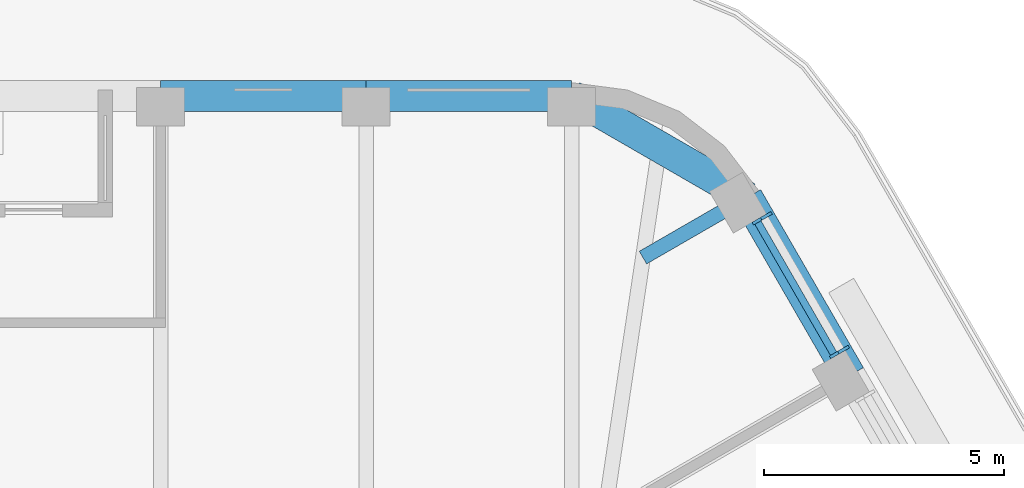
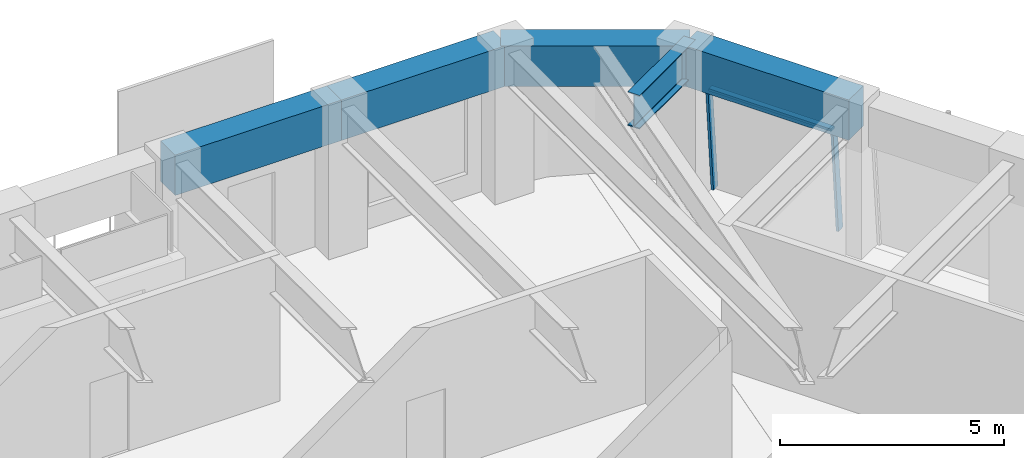
# One storey, part 11 of 19: 5 beams, 3 members, 1 element without a shape of its own.
"""IFC4 building model written with IfcOpenShell, lengths in metres."""

from ifc_helpers import new_model, si_unit, direction, frame, origin, origin_2d, place, context, subcontext, project, spatial, rectangle, i_section, extrude, material, material_profile, profile_set, type_object, element, aggregate, save


model = new_model("IFC4")

# Units and contexts
model_context = context("Model", 3, precision=1e-05, world=origin(), true_north=direction((0.0, 1.0)))
body_context = subcontext(model_context, "Body", "Model", "MODEL_VIEW")
ifc_project = project(units=[si_unit("LENGTHUNIT", "METRE"), si_unit("AREAUNIT", "SQUARE_METRE"), si_unit("VOLUMEUNIT", "CUBIC_METRE"), si_unit("PLANEANGLEUNIT", "RADIAN"), si_unit("MASSUNIT", "GRAM", prefix="KILO")], contexts=[model_context])

# Site, building, storey
site_placement = place(None, origin())
site = spatial("IfcSite", under=ifc_project, at=site_placement, CompositionType="ELEMENT")
building_placement = place(site_placement, origin())
building = spatial("IfcBuilding", under=site, at=building_placement, Name="Tarfa Lantern Tower", CompositionType="ELEMENT")
storey_placement = place(building_placement, frame((0.0, 0.0, 345.10009765625)))
storey = spatial("IfcBuildingStorey", under=building, at=storey_placement, Name="L78", CompositionType="ELEMENT", Elevation=345.10009765625)

# Curtain wall, members
ifc_material_1 = material(Name="Aluminium framed curtain wall", Category="aluminium")
curtain_wall_type = type_object("IfcCurtainWallType", Name="CW4 CANTED GLAZING EXECUTIVE ZONE 2900", PredefinedType="USERDEFINED", material=ifc_material_1)
curtain_wall_placement = place(storey_placement, origin())
curtain_wall = element("IfcCurtainWall", 1, at=curtain_wall_placement, inside=storey, type_object=curtain_wall_type, Name="CW4 NE L78", ObjectType="CURTAIN WALL", PredefinedType="USERDEFINED")
ifc_material_2 = material(Name="Aluminium mullion", Category="aluminium")
ifc_material_profile_1 = material_profile(ifc_material_2, rectangle(XDim=0.06494140625, YDim=0.199951171875, at=origin_2d()), Name="AL MULLION 65x200")
ifc_profile_set_1 = profile_set([ifc_material_profile_1], Name="Aluminium mullion")
member_type_1 = type_object("IfcMemberType", Name="CWM1 MULLION 65x200", PredefinedType="MULLION", material=ifc_profile_set_1)
member_1_placement = place(storey_placement, frame((18.53125, 21.202880859375, 0.0), z_axis=(-0.074399820079, -0.042945555672, 0.996303340364), x_axis=(0.499919672301, -0.866071776036, 0.0)))
member_1 = element("IfcMember", 2, at=member_1_placement, type_object=member_type_1, Name="CW4 mullion 1", PredefinedType="MULLION", context=body_context, shape_type="SweptSolid", body=[
    extrude(rectangle(XDim=0.06494140625, YDim=0.199951171875, at=origin_2d()), origin(), (0.0, 0.0, 1.0), 2.91064453125),
])
member_2_placement = place(storey_placement, frame((16.9228515625, 23.98876953125, 0.0), z_axis=(-0.074399820079, -0.042945555672, 0.996303340364), x_axis=(0.499919672301, -0.866071776036, 0.0)))
member_2 = element("IfcMember", 3, at=member_2_placement, type_object=member_type_1, Name="CW4 mullion 2", PredefinedType="MULLION", context=body_context, shape_type="SweptSolid", body=[
    extrude(rectangle(XDim=0.06494140625, YDim=0.199951171875, at=origin_2d()), origin(), (0.0, 0.0, 1.0), 2.91064453125),
])
ifc_material_3 = material(Name="Aluminium transom", Category="aluminium")
ifc_material_profile_2 = material_profile(ifc_material_3, rectangle(XDim=0.14990234375, YDim=0.06494140625, at=origin_2d()), Name="AL TRANSOM 150x65")
ifc_profile_set_2 = profile_set([ifc_material_profile_2], Name="Aluminium transom")
member_type_2 = type_object("IfcMemberType", Name="CWT1 TRANSOM 150x65", PredefinedType="USERDEFINED", material=ifc_profile_set_2)
member_3_placement = place(storey_placement, frame((18.301025390625, 21.107421875, 2.867431640625), z_axis=(-0.500037562771, 0.866003715822, 0.0), x_axis=(-0.866003715822, -0.500037562771, 0.0)))
member_3 = element("IfcMember", 4, at=member_3_placement, type_object=member_type_2, Name="CW4 transom 1.2", ObjectType="TRANSOM", PredefinedType="USERDEFINED", context=body_context, shape_type="SweptSolid", body=[
    extrude(rectangle(XDim=0.14990234375, YDim=0.06494140625, at=origin_2d()), origin(), (0.0, 0.0, 1.0), 3.152099609375),
])
aggregate(curtain_wall, [member_1, member_2, member_3])

# Beams
ifc_material_4 = material(Name="Concrete C80/95", Category="concrete")
ifc_material_profile_3 = material_profile(ifc_material_4, rectangle(XDim=0.64990234375, YDim=1.10009765625, at=origin_2d()), Name="RC 650x1100")
ifc_profile_set_3 = profile_set([ifc_material_profile_3], Name="Concrete C80/95")
beam_type_1 = type_object("IfcBeamType", Name="EB4 RC 650x1100", PredefinedType="SPANDREL", material=ifc_profile_set_3)
beam_1_placement = place(storey_placement, frame((18.6416015625, 20.651611328125, 3.449951171875), z_axis=(-0.499959351497, 0.866048870937, 0.0), x_axis=(-0.866048870937, -0.499959351497, 0.0)))
element("IfcBeam", 5, at=beam_1_placement, inside=storey, type_object=beam_type_1, Name="Edge beam NE5", PredefinedType="SPANDREL", context=body_context, shape_type="SweptSolid", body=[
    extrude(rectangle(XDim=0.64990234375, YDim=1.10009765625, at=origin_2d()), origin(), (0.0, 0.0, 1.0), 4.281982421875),
])
beam_2_placement = place(storey_placement, frame((16.500732421875, 24.360107421875, 3.449951171875), z_axis=(-0.866048788483, 0.499959494327, 0.0), x_axis=(-0.499959494327, -0.866048788483, 0.0)))
element("IfcBeam", 6, at=beam_2_placement, inside=storey, type_object=beam_type_1, Name="Edge beam NE6", PredefinedType="SPANDREL", context=body_context, shape_type="SweptSolid", body=[
    extrude(rectangle(XDim=0.64990234375, YDim=1.10009765625, at=origin_2d()), origin(), (0.0, 0.0, 1.0), 4.219970703125),
])
for number, where, z_axis, x_axis, name in (
    (7, (12.845947265625, 26.469970703125, 3.449951171875), (-1.0, 0.0, 0.0), (0.0, -1.0, 0.0), "Edge beam N0"),
    (8, (8.56396484375, 26.469970703125, 3.449951171875), (-1.0, 0.0, 0.0), (0.0, -1.0, 0.0), "Edge beam N1"),
):
    element("IfcBeam", number, at=place(storey_placement, frame(where, z_axis=z_axis, x_axis=x_axis)), inside=storey, type_object=beam_type_1, Name=name, PredefinedType="SPANDREL", context=body_context, shape_type="SweptSolid", body=[
        extrude(rectangle(XDim=0.64990234375, YDim=1.10009765625, at=origin_2d()), origin(), (0.0, 0.0, 1.0), 4.281982421875),
    ])
ifc_material_5 = material(Name="Steel S460M", Category="steel")
ifc_material_profile_4 = material_profile(ifc_material_5, i_section(OverallWidth=0.305419921875, OverallDepth=0.91845703125, WebThickness=0.017333984375, FlangeThickness=0.02783203125, FilletRadius=0.01904296875, at=origin_2d()), Name="UB914x305x253")
ifc_profile_set_4 = profile_set([ifc_material_profile_4], Name="Steel S460M")
beam_type_2 = type_object("IfcBeamType", Name="UB914x305x253", PredefinedType="BEAM", material=ifc_profile_set_4)
beam_3_placement = place(storey_placement, frame((16.500732421875, 24.360107421875, 3.540771484375), z_axis=(-0.865992557167, -0.500056887695, 0.0), x_axis=(0.500056887695, -0.865992557167, 0.0)))
element("IfcBeam", 9, at=beam_3_placement, inside=storey, type_object=beam_type_2, Name="Floor beam NE6", PredefinedType="BEAM", context=body_context, shape_type="SweptSolid", body=[
    extrude(i_section(OverallWidth=0.305419921875, OverallDepth=0.91845703125, WebThickness=0.017333984375, FlangeThickness=0.02783203125, FilletRadius=0.01904296875, at=origin_2d()), origin(), (0.0, 0.0, 1.0), 2.506591796875),
])

save(model, "model.ifc")
